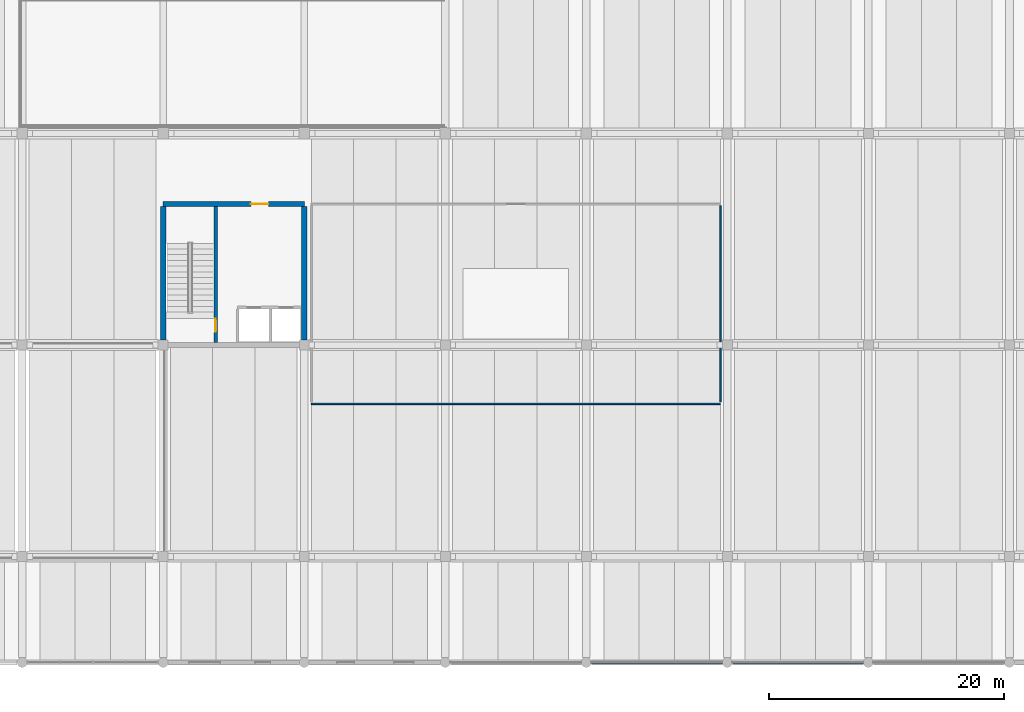
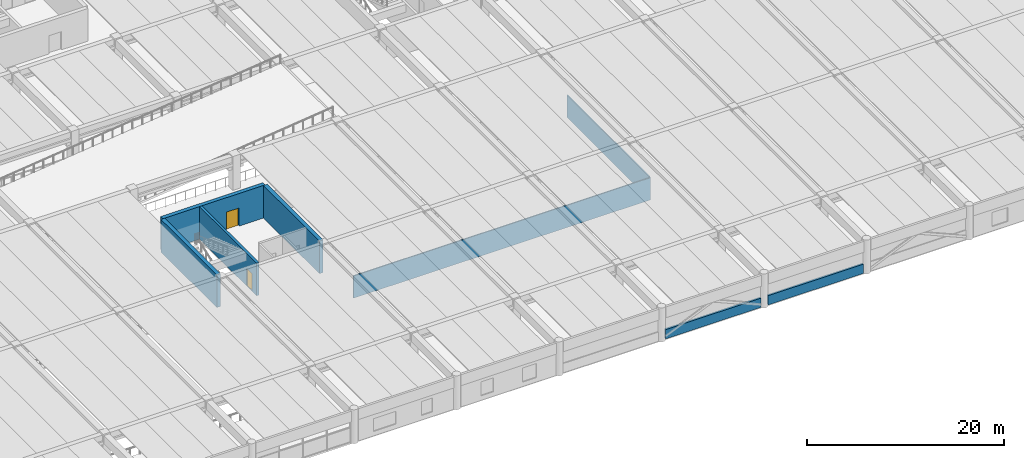
# One storey, part 35 of 50: 8 walls, 2 doors, 2 openings.
"""IFC4 building model written with IfcOpenShell, lengths in metres."""

from ifc_helpers import new_model, si_unit, direction, frame, frame_2d, origin, place, context, subcontext, project, spatial, rectangle, extrude, material, layer, layer_set, type_object, element, fill, save


model = new_model("IFC4")

# Units and contexts
model_context = context("Model", 3, precision=1e-05, world=origin(), true_north=direction((0.0, 1.0)))
body_context = subcontext(model_context, "Body", "Model", "MODEL_VIEW")
ifc_project = project(units=[si_unit("LENGTHUNIT", "METRE"), si_unit("AREAUNIT", "SQUARE_METRE"), si_unit("VOLUMEUNIT", "CUBIC_METRE"), si_unit("PLANEANGLEUNIT", "RADIAN"), si_unit("MASSUNIT", "GRAM", prefix="KILO")], contexts=[model_context])

# Site, building, storey
site_placement = place(None, origin())
site = spatial("IfcSite", under=ifc_project, at=site_placement, CompositionType="ELEMENT")
building_placement = place(site_placement, origin())
building = spatial("IfcBuilding", under=site, at=building_placement, Name="Girod Span Mobility Hub", CompositionType="ELEMENT")
storey_placement = place(building_placement, frame((0.0, 0.0, 5.39990234375)))
storey = spatial("IfcBuildingStorey", under=building, at=storey_placement, Name="L01", CompositionType="ELEMENT", Elevation=5.39990234375)

# Wall, opening, door
ifc_material_1 = material(Name="Concrete C40/50", Category="concrete")
ifc_layer_1 = layer(ifc_material_1, 0.449951171875)
ifc_layer_set_1 = layer_set([ifc_layer_1], Name="Concrete C40/50")
wall_type_1 = type_object("IfcWallType", Name="W-CW-450", PredefinedType="SHEAR", material=ifc_layer_set_1)
wall_1_placement = place(storey_placement, frame((72.0, 39.0, 0.0), z_axis=(0.0, 0.0, 1.0), x_axis=(1.0, 0.0, 0.0)))
wall_1 = element("IfcWall", 1, at=wall_1_placement, inside=storey, type_object=wall_type_1, Name="Core C3 Shear Wall N L01", PredefinedType="SHEAR", context=body_context, shape_type="SweptSolid", body=[
    extrude(rectangle(XDim=12.0, YDim=0.449951171875, at=frame_2d((6.0, 0.0))), origin(), (0.0, 0.0, 1.0), 4.043212890625),
])
opening_1_placement = place(wall_1_placement, frame((7.449951171875, 0.0, 0.0)))
opening_1 = element("IfcOpeningElement", 2, at=opening_1_placement, cuts=wall_1, Name="Opening D-LB-C3-L01", PredefinedType="OPENING", context=body_context, shape_type="SweptSolid", body=[
    extrude(rectangle(XDim=1.5, YDim=2.25, at=frame_2d((0.75, 1.125))), frame((0.0, 0.239990234375, 0.0), z_axis=(0.0, -1.0, 0.0), x_axis=(1.0, 0.0, 0.0)), (0.0, 0.0, 1.0), 0.47998046875),
])
ifc_material_2 = material(Name="Fire-Rated Insulated Hollow Metal Steel", Category="steel")
door_type_1 = type_object("IfcDoorType", Name="DT-FD-03", OperationType="DOUBLE_DOOR_SINGLE_SWING", PredefinedType="DOOR", material=ifc_material_2)
door_1_placement = place(opening_1_placement, origin())
door_1 = element("IfcDoor", 3, at=door_1_placement, inside=storey, type_object=door_type_1, Name="Core C3 Lobby Door L01", OperationType="DOUBLE_DOOR_SINGLE_SWING", OverallHeight=2.25, OverallWidth=1.5, PredefinedType="DOOR", context=body_context, shape_type="SweptSolid", body=[
    extrude(rectangle(XDim=1.5, YDim=2.25, at=frame_2d((0.75, 1.125))), frame((0.0, 0.02490234375, 0.0), z_axis=(0.0, -1.0, 0.0), x_axis=(1.0, 0.0, 0.0)), (0.0, 0.0, 1.0), 0.050048828125),
])
fill(opening_1, door_1)

# Walls
for number, where, z_axis, x_axis, name in (
    (4, (72.0, 27.422119140625, 0.0), (0.0, 0.0, 1.0), (0.0, 1.0, 0.0), "Core C3 Shear Wall W L01"),
    (5, (84.0, 27.422119140625, 0.0), (0.0, 0.0, 1.0), (0.0, 1.0, 0.0), "Core C3 Shear Wall E L01"),
):
    element("IfcWall", number, at=place(storey_placement, frame(where, z_axis=z_axis, x_axis=x_axis)), inside=storey, type_object=wall_type_1, Name=name, PredefinedType="SHEAR", context=body_context, shape_type="SweptSolid", body=[
        extrude(rectangle(XDim=11.35595703125, YDim=0.449951171875, at=frame_2d((5.677978515625, 0.0))), origin(), (0.0, 0.0, 1.0), 4.043212890625),
    ])
ifc_material_3 = material(Name="Precast Architectural Concrete C40/50", Category="concrete")
ifc_layer_2 = layer(ifc_material_3, 0.239990234375)
ifc_layer_set_2 = layer_set([ifc_layer_2], Name="Precast Architectural Concrete C40/50")
wall_type_2 = type_object("IfcWallType", Name="W-PAR-240", PredefinedType="PARAPET", material=ifc_layer_set_2)
for number, where, z_axis, x_axis, name in (
    (6, (108.423095703125, 0.0, 0.0), (0.0, 0.0, 1.0), (1.0, 0.0, 0.0), "Precast Parking Barrier Parapet S-10 L01"),
    (7, (120.423095703125, 0.0, 0.0), (0.0, 0.0, 1.0), (1.0, 0.0, 0.0), "Precast Parking Barrier Parapet S-11 L01"),
):
    element("IfcWall", number, at=place(storey_placement, frame(where, z_axis=z_axis, x_axis=x_axis)), inside=storey, type_object=wall_type_2, Name=name, PredefinedType="PARAPET", context=body_context, shape_type="SweptSolid", body=[
        extrude(rectangle(XDim=11.15380859375, YDim=0.239990234375, at=frame_2d((5.576904296875, 0.0))), origin(), (0.0, 0.0, 1.0), 1.150146484375),
    ])
ifc_material_4 = material(Name="Fire-Rated Gypsum Board on Metal Studs", Category="gypsum")
ifc_layer_3 = layer(ifc_material_4, 0.125)
ifc_layer_set_3 = layer_set([ifc_layer_3], Name="Fire-Rated Gypsum Board on Metal Studs")
wall_type_3 = type_object("IfcWallType", Name="W-PT-125", PredefinedType="PARTITIONING", material=ifc_layer_set_3)
wall_2_placement = place(storey_placement, frame((84.60009765625, 22.0, 0.0), z_axis=(0.0, 0.0, 1.0), x_axis=(1.0, 0.0, 0.0)))
element("IfcWall", 8, at=wall_2_placement, inside=storey, type_object=wall_type_3, Name="Transit Concourse Overlook Lounge Partition S", PredefinedType="PARTITIONING", context=body_context, shape_type="SweptSolid", body=[
    extrude(rectangle(XDim=34.7998046875, YDim=0.125, at=frame_2d((17.39990234375, 0.0))), origin(), (0.0, 0.0, 1.0), 2.75),
])
wall_3_placement = place(storey_placement, frame((119.39990234375, 22.159912109375, 0.0), z_axis=(0.0, 0.0, 1.0), x_axis=(0.0, 1.0, 0.0)))
element("IfcWall", 9, at=wall_3_placement, inside=storey, type_object=wall_type_3, Name="Transit Concourse Overlook Lounge Partition E", PredefinedType="PARTITIONING", context=body_context, shape_type="SweptSolid", body=[
    extrude(rectangle(XDim=16.68017578125, YDim=0.125, at=frame_2d((8.340087890625, 0.0))), origin(), (0.0, 0.0, 1.0), 2.75),
])

# Wall, opening, door
ifc_material_5 = material(Name="Concrete C40/50", Category="concrete")
ifc_layer_4 = layer(ifc_material_5, 0.300048828125)
ifc_layer_set_4 = layer_set([ifc_layer_4], Name="Concrete C40/50")
wall_type_4 = type_object("IfcWallType", Name="W-SH-300", PredefinedType="SHEAR", material=ifc_layer_set_4)
wall_4_placement = place(storey_placement, frame((76.449951171875, 27.221923828125, 0.0), z_axis=(0.0, 0.0, 1.0), x_axis=(0.0, 1.0, 0.0)))
wall_4 = element("IfcWall", 10, at=wall_4_placement, inside=storey, type_object=wall_type_4, Name="Core C3 Stairwell Spine Wall L01", PredefinedType="SHEAR", context=body_context, shape_type="SweptSolid", body=[
    extrude(rectangle(XDim=11.55615234375, YDim=0.300048828125, at=frame_2d((5.778076171875, 0.0))), origin(), (0.0, 0.0, 1.0), 4.043212890625),
])
opening_2_placement = place(wall_4_placement, frame((0.89990234375, 0.0, 0.0)))
opening_2 = element("IfcOpeningElement", 11, at=opening_2_placement, cuts=wall_4, Name="Opening D-ST-3-L01", PredefinedType="OPENING", context=body_context, shape_type="SweptSolid", body=[
    extrude(rectangle(XDim=1.10009765625, YDim=2.199951171875, at=frame_2d((0.550048828125, 1.10009765625))), frame((0.0, 0.1650390625, 0.0), z_axis=(0.0, -1.0, 0.0), x_axis=(1.0, 0.0, 0.0)), (0.0, 0.0, 1.0), 0.330078125),
])
ifc_material_6 = material(Name="Fire-Rated Insulated Hollow Metal Steel", Category="steel")
door_type_2 = type_object("IfcDoorType", Name="DT-FD-01", OperationType="NOTDEFINED", PredefinedType="DOOR", material=ifc_material_6)
door_2_placement = place(opening_2_placement, origin())
door_2 = element("IfcDoor", 12, at=door_2_placement, inside=storey, type_object=door_type_2, Name="Stair ST-3 Fire Door L01", OperationType="SINGLE_SWING_LEFT", OverallHeight=2.199951171875, OverallWidth=1.10009765625, PredefinedType="DOOR", context=body_context, shape_type="SweptSolid", body=[
    extrude(rectangle(XDim=1.10009765625, YDim=2.199951171875, at=frame_2d((0.550048828125, 1.10009765625))), frame((0.0, 0.02490234375, 0.0), z_axis=(0.0, -1.0, 0.0), x_axis=(1.0, 0.0, 0.0)), (0.0, 0.0, 1.0), 0.050048828125),
])
fill(opening_2, door_2)

save(model, "model.ifc")
